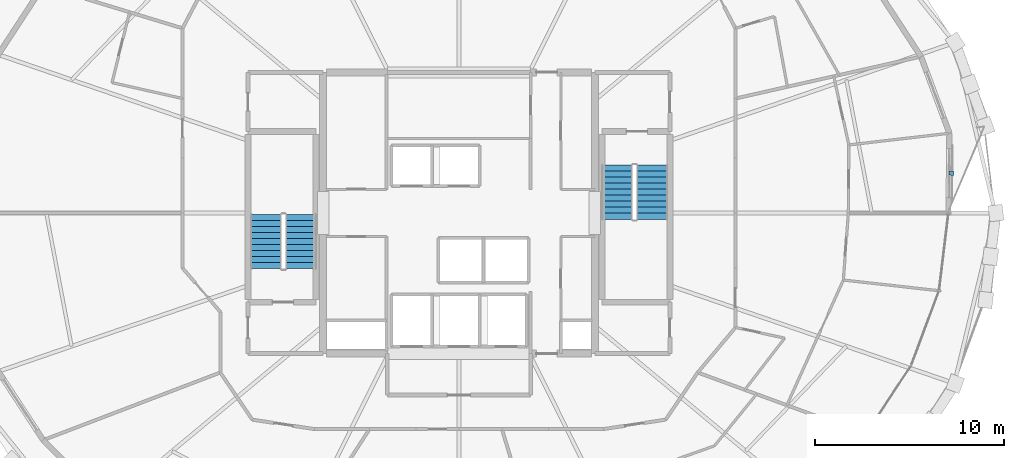
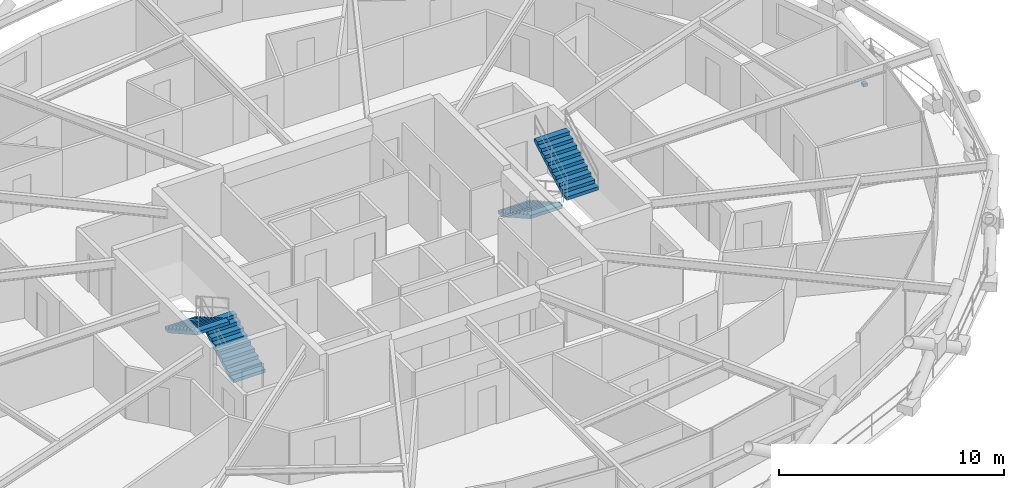
# One storey, part 18 of 21: 4 stair flights, 1 discrete accessory, 2 elements without a shape of their own.
"""IFC4 building model written with IfcOpenShell, lengths in metres."""

import ifcopenshell
import ifcopenshell.guid

model = None  # the IFC model being written
_history = None  # IfcOwnerHistory: only IFC2X3 demands one
_inside = {}  # id of a spatial element -> (the spatial element, [elements in it])
_under = {}  # id of a project, library or spatial element -> (it, [spatial elements below it])
_declared = {}  # id of a project -> (the project, [libraries it declares])
_typed = {}  # id of a type object -> (the type object, [elements of that type])
_made_of = {}  # id of a material, layer set ... -> (it, [elements and type objects made of it])


def new_model(schema):
    """Start an empty IFC model of exactly this schema.

    Asked for "IFC4X3", IfcOpenShell would pick the latest addendum, in which some entities
    have other attributes; the version numbers below select the first issue.
    IFC2X3 requires an IfcOwnerHistory on every rooted entity: one is made here for all.
    """
    global model, _history
    if schema == "IFC4X3":
        model = ifcopenshell.file(schema_version=(4, 3, 0, 0))
    else:
        model = ifcopenshell.file(schema=schema)
    _inside.clear()
    _under.clear()
    _declared.clear()
    _typed.clear()
    _made_of.clear()
    _history = None
    if model.schema == "IFC2X3":
        org = make("IfcOrganization", Name="unknown")
        user = make(
            "IfcPersonAndOrganization",
            ThePerson=make("IfcPerson", FamilyName="unknown"),
            TheOrganization=org,
        )
        app = make(
            "IfcApplication",
            ApplicationDeveloper=org,
            Version="unknown",
            ApplicationFullName="unknown",
            ApplicationIdentifier="unknown",
        )
        _history = make(
            "IfcOwnerHistory",
            OwningUser=user,
            OwningApplication=app,
            ChangeAction="ADDED",
            CreationDate=0,
        )
    return model


def make(cls, **values):
    """One entity of the class cls with the attributes given. An attribute that is None is left unset."""
    return model.create_entity(
        cls, **{name: value for name, value in values.items() if value is not None}
    )


def rooted(cls, **values):
    """An entity with a GlobalId (a new one), such as an element, a storey or a relation."""
    return make(cls, GlobalId=ifcopenshell.guid.new(), OwnerHistory=_history, **values)


def si_unit(unit_type, name, prefix=None):
    """IfcSIUnit, for example si_unit("LENGTHUNIT", "METRE", prefix="MILLI")."""
    return make("IfcSIUnit", UnitType=unit_type, Prefix=prefix, Name=name)


def assignment(units):
    """IfcUnitAssignment: the units of a project."""
    return None if units is None else make("IfcUnitAssignment", Units=units)


def point(xyz):
    """IfcCartesianPoint."""
    return None if xyz is None else make("IfcCartesianPoint", Coordinates=xyz)


def direction(xyz):
    """IfcDirection."""
    return None if xyz is None else make("IfcDirection", DirectionRatios=xyz)


def frame(location, z_axis=None, x_axis=None):
    """IfcAxis2Placement3D, a coordinate frame: its origin and axes. An axis left out is left unset."""
    return make(
        "IfcAxis2Placement3D",
        Location=point(location),
        Axis=direction(z_axis),
        RefDirection=direction(x_axis),
    )


def frame_2d(location, x_axis=None):
    """IfcAxis2Placement2D, a coordinate frame in the plane: its origin and x axis."""
    return make(
        "IfcAxis2Placement2D", Location=point(location), RefDirection=direction(x_axis)
    )


def origin():
    """The frame at (0, 0, 0) with its axes left unset."""
    return frame((0.0, 0.0, 0.0))


def origin_2d():
    """The frame at (0, 0) in the plane with its x axis left unset."""
    return frame_2d((0.0, 0.0))


def place(relative_to, where):
    """IfcLocalPlacement: puts the frame where relative to a parent placement (None: the world)."""
    return make(
        "IfcLocalPlacement", PlacementRelTo=relative_to, RelativePlacement=where
    )


def context(
    kind, dimensions, precision=None, world=None, true_north=None, identifier=None
):
    """IfcGeometricRepresentationContext, for example the 3D "Model" context."""
    return make(
        "IfcGeometricRepresentationContext",
        ContextIdentifier=identifier,
        ContextType=kind,
        CoordinateSpaceDimension=dimensions,
        Precision=precision,
        WorldCoordinateSystem=world,
        TrueNorth=true_north,
    )


def subcontext(parent, identifier, kind, view, scale=None):
    """IfcGeometricRepresentationSubContext, for example "Body" below "Model"."""
    return make(
        "IfcGeometricRepresentationSubContext",
        ContextIdentifier=identifier,
        ContextType=kind,
        ParentContext=parent,
        TargetScale=scale,
        TargetView=view,
    )


def project(units=None, contexts=None):
    """IfcProject with its units and contexts."""
    return rooted(
        "IfcProject",
        Name="project",
        RepresentationContexts=contexts,
        UnitsInContext=assignment(units),
    )


def spatial(cls, under=None, at=None, **own):
    """A site, building, storey or space (cls), placed at a placement, below another one or the project."""
    s = rooted(cls, ObjectPlacement=at, **own)
    if under is not None:
        _under.setdefault(under.id(), (under, []))[1].append(s)
    return s


def polyline(points):
    """IfcPolyline through the points."""
    return make("IfcPolyline", Points=[point(p) for p in points])


def profile(cls, at=None, kind="AREA", **sizes):
    """A parametric profile (cls). Its sizes go by their IFC names, for example OverallWidth=200.0."""
    return make(cls, ProfileType=kind, Position=at, **sizes)


def rectangle(**sizes):
    """IfcRectangleProfileDef."""
    return profile("IfcRectangleProfileDef", **sizes)


def outline(outer, holes=None, kind="AREA"):
    """IfcArbitraryClosedProfileDef: a profile drawn as a closed curve; with holes, ...WithVoids."""
    if holes is None:
        return make("IfcArbitraryClosedProfileDef", ProfileType=kind, OuterCurve=outer)
    return make(
        "IfcArbitraryProfileDefWithVoids",
        ProfileType=kind,
        OuterCurve=outer,
        InnerCurves=holes,
    )


def extrude(swept, where, along, depth):
    """IfcExtrudedAreaSolid: the profile swept, set in the frame where, extruded along a direction by depth."""
    return make(
        "IfcExtrudedAreaSolid",
        SweptArea=swept,
        Position=where,
        ExtrudedDirection=direction(along),
        Depth=depth,
    )


def shape(context_of_items, identifier, shape_type, items):
    """IfcShapeRepresentation: the items that make up one representation, for example the "Body"."""
    return make(
        "IfcShapeRepresentation",
        ContextOfItems=context_of_items,
        RepresentationIdentifier=identifier,
        RepresentationType=shape_type,
        Items=items,
    )


def material(Name=None, Category=None):
    """IfcMaterial."""
    return make("IfcMaterial", Name=Name, Category=Category)


def made_of(thing, what):
    """Note that an element or type object is made of a material, layer set ...; save() writes the relation."""
    if what is not None:
        _made_of.setdefault(what.id(), (what, []))[1].append(thing)
    return thing


def type_object(cls, material=None, **own):
    """A type object (cls), such as IfcWallType, which elements share."""
    return made_of(rooted(cls, **own), material)


def element(
    cls,
    number,
    at=None,
    inside=None,
    cuts=None,
    type_object=None,
    material=None,
    context=None,
    identifier="Body",
    shape_type=None,
    held_by="IfcProductDefinitionShape",
    body=None,
    shapes=None,
    **own,
):
    """One element of the class cls, such as IfcWall. Its Tag is "e" and its number.

    at: its placement. inside: the storey or other place that contains it. cuts: it is an
    opening in that element (IfcRelVoidsElement). A single representation is given by context,
    identifier, shape_type and body (its items); several are given by shapes. held_by: the class
    of the entity that holds the representations. save() writes the other relations.
    """
    e = rooted(cls, Tag="e%d" % number, ObjectPlacement=at, **own)
    if body is not None:
        shapes = [shape(context, identifier, shape_type, body)]
    if shapes is not None:
        e.Representation = make(held_by, Representations=shapes)
    if inside is not None:
        _inside.setdefault(inside.id(), (inside, []))[1].append(e)
    if cuts is not None:
        rooted(
            "IfcRelVoidsElement", RelatingBuildingElement=cuts, RelatedOpeningElement=e
        )
    if type_object is not None:
        _typed.setdefault(type_object.id(), (type_object, []))[1].append(e)
    return made_of(e, material)


def aggregate(whole, parts):
    """IfcRelAggregates: a whole, such as a stair, and the parts it consists of."""
    return rooted("IfcRelAggregates", RelatingObject=whole, RelatedObjects=parts)


def save(model, path):
    """Write the relations noted so far, then the file.

    IfcRelAggregates (storeys below a building ...), IfcRelContainedInSpatialStructure (elements
    in a storey), IfcRelDefinesByType, IfcRelAssociatesMaterial and IfcRelDeclares: one each for
    every whole, place, type object, material and project.
    """
    for whole, parts in _under.values():
        aggregate(whole, parts)
    for where, things in _inside.values():
        rooted(
            "IfcRelContainedInSpatialStructure",
            RelatedElements=things,
            RelatingStructure=where,
        )
    for kind, things in _typed.values():
        rooted("IfcRelDefinesByType", RelatedObjects=things, RelatingType=kind)
    for what, things in _made_of.values():
        rooted("IfcRelAssociatesMaterial", RelatedObjects=things, RelatingMaterial=what)
    for by, libraries in _declared.values():
        rooted("IfcRelDeclares", RelatingContext=by, RelatedDefinitions=libraries)
    model.write(path)


model = new_model("IFC4")

# Units and contexts
model_context = context("Model", 3, precision=1e-05, world=origin(), true_north=direction((0.0, 1.0)))
body_context = subcontext(model_context, "Body", "Model", "MODEL_VIEW")
ifc_project = project(units=[si_unit("LENGTHUNIT", "METRE"), si_unit("AREAUNIT", "SQUARE_METRE"), si_unit("VOLUMEUNIT", "CUBIC_METRE"), si_unit("PLANEANGLEUNIT", "RADIAN"), si_unit("MASSUNIT", "GRAM", prefix="KILO")], contexts=[model_context])

# Site, building, storey
site_placement = place(None, origin())
site = spatial("IfcSite", under=ifc_project, at=site_placement, CompositionType="ELEMENT")
building_placement = place(site_placement, origin())
building = spatial("IfcBuilding", under=site, at=building_placement, Name="Veldorina Hangang Commons", CompositionType="ELEMENT")
storey_placement = place(building_placement, frame((0.0, 0.0, 138.800048828125)))
storey = spatial("IfcBuildingStorey", under=building, at=storey_placement, Name="L35", CompositionType="ELEMENT", Elevation=138.800048828125)

# Stair, stair flights
ifc_material_1 = material(Name="Concrete C40/50", Category="concrete")
stair_type = type_object("IfcStairType", Name="STR-DOG-1650-20R", PredefinedType="HALF_TURN_STAIR", material=ifc_material_1)
stair_1_placement = place(storey_placement, origin())
stair_1 = element("IfcStair", 1, at=stair_1_placement, inside=storey, type_object=stair_type, Name="L35 Exit stair ST-1", PredefinedType="HALF_TURN_STAIR")
stair_flight_type = type_object("IfcStairFlightType", Name="SFL-STR-1650-20R", PredefinedType="STRAIGHT", material=ifc_material_1)
stair_flight_1_placement = place(storey_placement, frame((23.625, 21.050048828125, 0.0), z_axis=(0.0, 0.0, 1.0), x_axis=(0.0, 1.0, 0.0)))
stair_flight_1 = element("IfcStairFlight", 2, at=stair_flight_1_placement, type_object=stair_flight_type, Name="ST-1 flight 1", NumberOfRisers=10, NumberOfTreads=9, PredefinedType="STRAIGHT", RiserHeight=0.18, TreadLength=0.32, context=body_context, shape_type="SweptSolid", body=[
    extrude(outline(polyline([(0.0, 0.0), (0.0, 0.179931640625), (0.320068359375, 0.179931640625), (0.320068359375, 0.360107421875), (0.639892578125, 0.360107421875), (0.639892578125, 0.5400390625), (0.9599609375, 0.5400390625), (0.9599609375, 0.719970703125), (1.280029296875, 0.719970703125), (1.280029296875, 0.89990234375), (1.60009765625, 0.89990234375), (1.60009765625, 1.080078125), (1.919921875, 1.080078125), (1.919921875, 1.260009765625), (2.239990234375, 1.260009765625), (2.239990234375, 1.43994140625), (2.56005859375, 1.43994140625), (2.56005859375, 1.6201171875), (2.8798828125, 1.6201171875), (2.8798828125, 1.800048828125), (2.8798828125, 1.447998046875), (0.3056640625, 0.0), (0.0, 0.0)])), frame((0.0, 0.824951171875, 0.0), z_axis=(0.0, -1.0, 0.0), x_axis=(1.0, 0.0, 0.0)), (0.0, 0.0, 1.0), 1.64990234375),
])
stair_flight_2_placement = place(storey_placement, frame((21.77490234375, 23.929931640625, 1.800048828125), z_axis=(0.0, 0.0, 1.0), x_axis=(0.0, -1.0, 0.0)))
stair_flight_2 = element("IfcStairFlight", 3, at=stair_flight_2_placement, type_object=stair_flight_type, Name="ST-1 flight 2", NumberOfRisers=10, NumberOfTreads=9, PredefinedType="STRAIGHT", RiserHeight=0.18, TreadLength=0.32, context=body_context, shape_type="SweptSolid", body=[
    extrude(outline(polyline([(0.0, 0.0), (0.0, 0.179931640625), (0.320068359375, 0.179931640625), (0.320068359375, 0.360107421875), (0.639892578125, 0.360107421875), (0.639892578125, 0.5400390625), (0.9599609375, 0.5400390625), (0.9599609375, 0.719970703125), (1.280029296875, 0.719970703125), (1.280029296875, 0.89990234375), (1.60009765625, 0.89990234375), (1.60009765625, 1.080078125), (1.919921875, 1.080078125), (1.919921875, 1.260009765625), (2.239990234375, 1.260009765625), (2.239990234375, 1.43994140625), (2.56005859375, 1.43994140625), (2.56005859375, 1.6201171875), (2.8798828125, 1.6201171875), (2.8798828125, 1.800048828125), (2.8798828125, 1.447998046875), (0.3056640625, 0.0), (0.0, 0.0)])), frame((0.0, 0.824951171875, 0.0), z_axis=(0.0, -1.0, 0.0), x_axis=(1.0, 0.0, 0.0)), (0.0, 0.0, 1.0), 1.64990234375),
])
aggregate(stair_1, [stair_flight_1, stair_flight_2])

stair_2_placement = place(storey_placement, origin())
stair_2 = element("IfcStair", 4, at=stair_2_placement, inside=storey, type_object=stair_type, Name="L35 Exit stair ST-2", PredefinedType="HALF_TURN_STAIR")
stair_flight_3_placement = place(storey_placement, frame((40.375, 26.550048828125, 0.0), z_axis=(0.0, 0.0, 1.0), x_axis=(0.0, -1.0, 0.0)))
stair_flight_3 = element("IfcStairFlight", 5, at=stair_flight_3_placement, type_object=stair_flight_type, Name="ST-2 flight 1", NumberOfRisers=10, NumberOfTreads=9, PredefinedType="STRAIGHT", RiserHeight=0.18, TreadLength=0.32, context=body_context, shape_type="SweptSolid", body=[
    extrude(outline(polyline([(0.0, 0.0), (0.0, 0.179931640625), (0.320068359375, 0.179931640625), (0.320068359375, 0.360107421875), (0.639892578125, 0.360107421875), (0.639892578125, 0.5400390625), (0.9599609375, 0.5400390625), (0.9599609375, 0.719970703125), (1.280029296875, 0.719970703125), (1.280029296875, 0.89990234375), (1.60009765625, 0.89990234375), (1.60009765625, 1.080078125), (1.919921875, 1.080078125), (1.919921875, 1.260009765625), (2.239990234375, 1.260009765625), (2.239990234375, 1.43994140625), (2.56005859375, 1.43994140625), (2.56005859375, 1.6201171875), (2.8798828125, 1.6201171875), (2.8798828125, 1.800048828125), (2.8798828125, 1.447998046875), (0.3056640625, 0.0), (0.0, 0.0)])), frame((0.0, 0.824951171875, 0.0), z_axis=(0.0, -1.0, 0.0), x_axis=(1.0, 0.0, 0.0)), (0.0, 0.0, 1.0), 1.64990234375),
])
stair_flight_4_placement = place(storey_placement, frame((42.22509765625, 23.669921875, 1.800048828125), z_axis=(0.0, 0.0, 1.0), x_axis=(0.0, 1.0, 0.0)))
stair_flight_4 = element("IfcStairFlight", 6, at=stair_flight_4_placement, type_object=stair_flight_type, Name="ST-2 flight 2", NumberOfRisers=10, NumberOfTreads=9, PredefinedType="STRAIGHT", RiserHeight=0.18, TreadLength=0.32, context=body_context, shape_type="SweptSolid", body=[
    extrude(outline(polyline([(0.0, 0.0), (0.0, 0.179931640625), (0.320068359375, 0.179931640625), (0.320068359375, 0.360107421875), (0.639892578125, 0.360107421875), (0.639892578125, 0.5400390625), (0.9599609375, 0.5400390625), (0.9599609375, 0.719970703125), (1.280029296875, 0.719970703125), (1.280029296875, 0.89990234375), (1.60009765625, 0.89990234375), (1.60009765625, 1.080078125), (1.919921875, 1.080078125), (1.919921875, 1.260009765625), (2.239990234375, 1.260009765625), (2.239990234375, 1.43994140625), (2.56005859375, 1.43994140625), (2.56005859375, 1.6201171875), (2.8798828125, 1.6201171875), (2.8798828125, 1.800048828125), (2.8798828125, 1.447998046875), (0.3056640625, 0.0), (0.0, 0.0)])), frame((0.0, 0.824951171875, 0.0), z_axis=(0.0, -1.0, 0.0), x_axis=(1.0, 0.0, 0.0)), (0.0, 0.0, 1.0), 1.64990234375),
])
aggregate(stair_2, [stair_flight_3, stair_flight_4])

# Discrete accessory
ifc_material_2 = material(Name="Stainless Steel Brushed 316", Category="steel")
discrete_accessory_type = type_object("IfcDiscreteAccessoryType", Name="BRK-SCR-SS", PredefinedType="BRACKET", material=ifc_material_2)
discrete_accessory_placement = place(storey_placement, frame((58.083740234375, 26.111572265625, 0.72021484375), z_axis=(0.0, 0.0, 1.0), x_axis=(0.012025028722, 0.999927696728, 0.0)))
element("IfcDiscreteAccessory", 7, at=discrete_accessory_placement, inside=storey, type_object=discrete_accessory_type, Name="L35 solar screen support bracket 00", PredefinedType="BRACKET", context=body_context, shape_type="SweptSolid", body=[
    extrude(rectangle(XDim=0.219970703125, YDim=0.219970703125, at=origin_2d()), origin(), (0.0, 0.0, 1.0), 0.159912109375),
])

save(model, "model.ifc")
